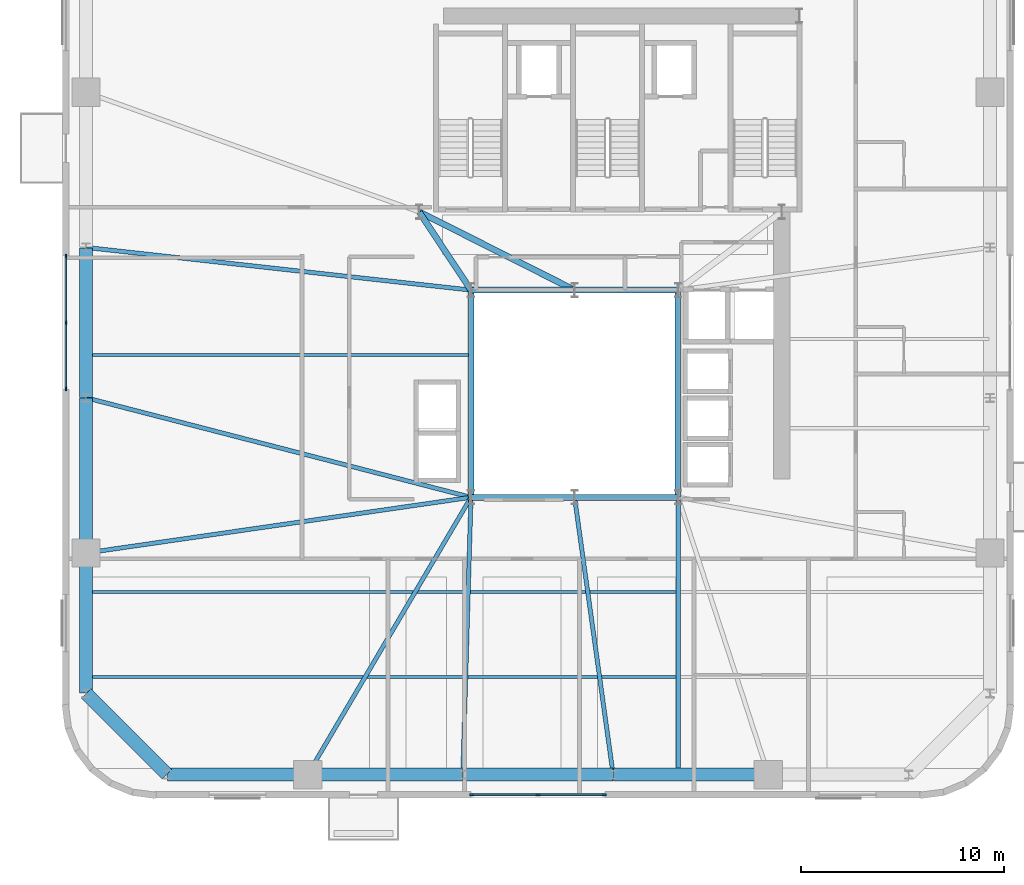
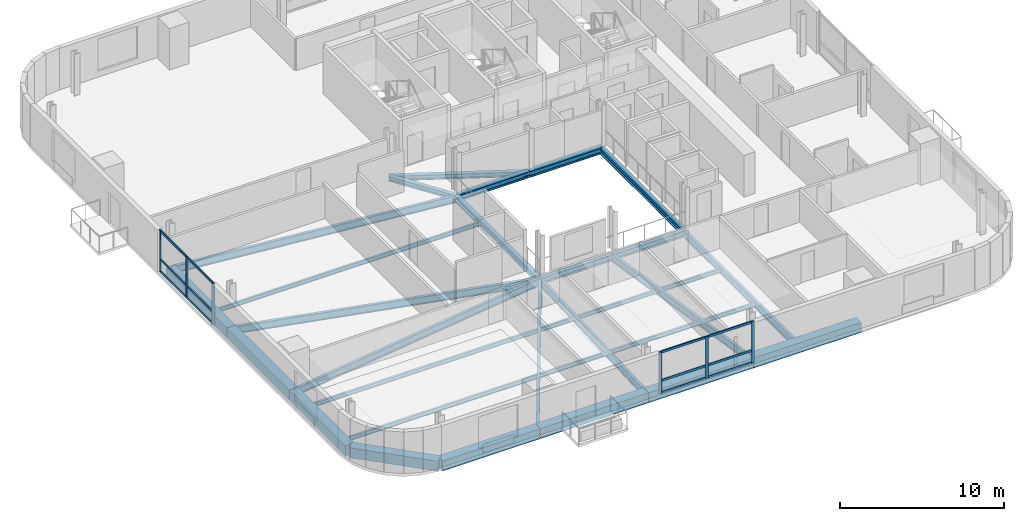
# One storey, part 3 of 13: 26 beams, 18 members, 2 elements without a shape of their own.
"""IFC4 building model written with IfcOpenShell, lengths in metres."""

import ifcopenshell
import ifcopenshell.guid

model = None  # the IFC model being written
_history = None  # IfcOwnerHistory: only IFC2X3 demands one
_inside = {}  # id of a spatial element -> (the spatial element, [elements in it])
_under = {}  # id of a project, library or spatial element -> (it, [spatial elements below it])
_declared = {}  # id of a project -> (the project, [libraries it declares])
_typed = {}  # id of a type object -> (the type object, [elements of that type])
_made_of = {}  # id of a material, layer set ... -> (it, [elements and type objects made of it])


def new_model(schema):
    """Start an empty IFC model of exactly this schema.

    Asked for "IFC4X3", IfcOpenShell would pick the latest addendum, in which some entities
    have other attributes; the version numbers below select the first issue.
    IFC2X3 requires an IfcOwnerHistory on every rooted entity: one is made here for all.
    """
    global model, _history
    if schema == "IFC4X3":
        model = ifcopenshell.file(schema_version=(4, 3, 0, 0))
    else:
        model = ifcopenshell.file(schema=schema)
    _inside.clear()
    _under.clear()
    _declared.clear()
    _typed.clear()
    _made_of.clear()
    _history = None
    if model.schema == "IFC2X3":
        org = make("IfcOrganization", Name="unknown")
        user = make(
            "IfcPersonAndOrganization",
            ThePerson=make("IfcPerson", FamilyName="unknown"),
            TheOrganization=org,
        )
        app = make(
            "IfcApplication",
            ApplicationDeveloper=org,
            Version="unknown",
            ApplicationFullName="unknown",
            ApplicationIdentifier="unknown",
        )
        _history = make(
            "IfcOwnerHistory",
            OwningUser=user,
            OwningApplication=app,
            ChangeAction="ADDED",
            CreationDate=0,
        )
    return model


def make(cls, **values):
    """One entity of the class cls with the attributes given. An attribute that is None is left unset."""
    return model.create_entity(
        cls, **{name: value for name, value in values.items() if value is not None}
    )


def rooted(cls, **values):
    """An entity with a GlobalId (a new one), such as an element, a storey or a relation."""
    return make(cls, GlobalId=ifcopenshell.guid.new(), OwnerHistory=_history, **values)


def si_unit(unit_type, name, prefix=None):
    """IfcSIUnit, for example si_unit("LENGTHUNIT", "METRE", prefix="MILLI")."""
    return make("IfcSIUnit", UnitType=unit_type, Prefix=prefix, Name=name)


def assignment(units):
    """IfcUnitAssignment: the units of a project."""
    return None if units is None else make("IfcUnitAssignment", Units=units)


def point(xyz):
    """IfcCartesianPoint."""
    return None if xyz is None else make("IfcCartesianPoint", Coordinates=xyz)


def direction(xyz):
    """IfcDirection."""
    return None if xyz is None else make("IfcDirection", DirectionRatios=xyz)


def frame(location, z_axis=None, x_axis=None):
    """IfcAxis2Placement3D, a coordinate frame: its origin and axes. An axis left out is left unset."""
    return make(
        "IfcAxis2Placement3D",
        Location=point(location),
        Axis=direction(z_axis),
        RefDirection=direction(x_axis),
    )


def frame_2d(location, x_axis=None):
    """IfcAxis2Placement2D, a coordinate frame in the plane: its origin and x axis."""
    return make(
        "IfcAxis2Placement2D", Location=point(location), RefDirection=direction(x_axis)
    )


def origin():
    """The frame at (0, 0, 0) with its axes left unset."""
    return frame((0.0, 0.0, 0.0))


def origin_2d():
    """The frame at (0, 0) in the plane with its x axis left unset."""
    return frame_2d((0.0, 0.0))


def place(relative_to, where):
    """IfcLocalPlacement: puts the frame where relative to a parent placement (None: the world)."""
    return make(
        "IfcLocalPlacement", PlacementRelTo=relative_to, RelativePlacement=where
    )


def context(
    kind, dimensions, precision=None, world=None, true_north=None, identifier=None
):
    """IfcGeometricRepresentationContext, for example the 3D "Model" context."""
    return make(
        "IfcGeometricRepresentationContext",
        ContextIdentifier=identifier,
        ContextType=kind,
        CoordinateSpaceDimension=dimensions,
        Precision=precision,
        WorldCoordinateSystem=world,
        TrueNorth=true_north,
    )


def subcontext(parent, identifier, kind, view, scale=None):
    """IfcGeometricRepresentationSubContext, for example "Body" below "Model"."""
    return make(
        "IfcGeometricRepresentationSubContext",
        ContextIdentifier=identifier,
        ContextType=kind,
        ParentContext=parent,
        TargetScale=scale,
        TargetView=view,
    )


def project(units=None, contexts=None):
    """IfcProject with its units and contexts."""
    return rooted(
        "IfcProject",
        Name="project",
        RepresentationContexts=contexts,
        UnitsInContext=assignment(units),
    )


def spatial(cls, under=None, at=None, **own):
    """A site, building, storey or space (cls), placed at a placement, below another one or the project."""
    s = rooted(cls, ObjectPlacement=at, **own)
    if under is not None:
        _under.setdefault(under.id(), (under, []))[1].append(s)
    return s


def profile(cls, at=None, kind="AREA", **sizes):
    """A parametric profile (cls). Its sizes go by their IFC names, for example OverallWidth=200.0."""
    return make(cls, ProfileType=kind, Position=at, **sizes)


def rectangle(**sizes):
    """IfcRectangleProfileDef."""
    return profile("IfcRectangleProfileDef", **sizes)


def i_section(**sizes):
    """IfcIShapeProfileDef."""
    return profile("IfcIShapeProfileDef", **sizes)


def extrude(swept, where, along, depth):
    """IfcExtrudedAreaSolid: the profile swept, set in the frame where, extruded along a direction by depth."""
    return make(
        "IfcExtrudedAreaSolid",
        SweptArea=swept,
        Position=where,
        ExtrudedDirection=direction(along),
        Depth=depth,
    )


def shape(context_of_items, identifier, shape_type, items):
    """IfcShapeRepresentation: the items that make up one representation, for example the "Body"."""
    return make(
        "IfcShapeRepresentation",
        ContextOfItems=context_of_items,
        RepresentationIdentifier=identifier,
        RepresentationType=shape_type,
        Items=items,
    )


def source(mapping_origin, context_of_items, identifier, shape_type, items):
    """IfcRepresentationMap: a shape defined once, which mapped items show again and again."""
    return make(
        "IfcRepresentationMap",
        MappingOrigin=mapping_origin,
        MappedRepresentation=shape(context_of_items, identifier, shape_type, items),
    )


def transform(
    local_origin,
    x_axis=None,
    y_axis=None,
    z_axis=None,
    scale=None,
    scale2=None,
    scale3=None,
    uniform=True,
):
    """IfcCartesianTransformationOperator3D, or its non-uniform kind. x_axis, y_axis, z_axis: its Axis1, 2, 3."""
    if uniform:
        return make(
            "IfcCartesianTransformationOperator3D",
            Axis1=direction(x_axis),
            Axis2=direction(y_axis),
            LocalOrigin=point(local_origin),
            Scale=scale,
            Axis3=direction(z_axis),
        )
    return make(
        "IfcCartesianTransformationOperator3DnonUniform",
        Axis1=direction(x_axis),
        Axis2=direction(y_axis),
        LocalOrigin=point(local_origin),
        Scale=scale,
        Axis3=direction(z_axis),
        Scale2=scale2,
        Scale3=scale3,
    )


def mapped(mapping_source, mapping_target):
    """IfcMappedItem: shows the shape of a source again, moved by a transform."""
    return make(
        "IfcMappedItem", MappingSource=mapping_source, MappingTarget=mapping_target
    )


def material(Name=None, Category=None):
    """IfcMaterial."""
    return make("IfcMaterial", Name=Name, Category=Category)


def material_profile(
    of_material, cross_section, Name=None, Category=None, Priority=None
):
    """IfcMaterialProfile: a cross section and its material."""
    return make(
        "IfcMaterialProfile",
        Name=Name,
        Material=of_material,
        Profile=cross_section,
        Priority=Priority,
        Category=Category,
    )


def profile_set(profiles, Name=None, composite=None):
    """IfcMaterialProfileSet."""
    return make(
        "IfcMaterialProfileSet",
        Name=Name,
        MaterialProfiles=profiles,
        CompositeProfile=composite,
    )


def made_of(thing, what):
    """Note that an element or type object is made of a material, layer set ...; save() writes the relation."""
    if what is not None:
        _made_of.setdefault(what.id(), (what, []))[1].append(thing)
    return thing


def type_object(cls, material=None, **own):
    """A type object (cls), such as IfcWallType, which elements share."""
    return made_of(rooted(cls, **own), material)


def element(
    cls,
    number,
    at=None,
    inside=None,
    cuts=None,
    type_object=None,
    material=None,
    context=None,
    identifier="Body",
    shape_type=None,
    held_by="IfcProductDefinitionShape",
    body=None,
    shapes=None,
    **own,
):
    """One element of the class cls, such as IfcWall. Its Tag is "e" and its number.

    at: its placement. inside: the storey or other place that contains it. cuts: it is an
    opening in that element (IfcRelVoidsElement). A single representation is given by context,
    identifier, shape_type and body (its items); several are given by shapes. held_by: the class
    of the entity that holds the representations. save() writes the other relations.
    """
    e = rooted(cls, Tag="e%d" % number, ObjectPlacement=at, **own)
    if body is not None:
        shapes = [shape(context, identifier, shape_type, body)]
    if shapes is not None:
        e.Representation = make(held_by, Representations=shapes)
    if inside is not None:
        _inside.setdefault(inside.id(), (inside, []))[1].append(e)
    if cuts is not None:
        rooted(
            "IfcRelVoidsElement", RelatingBuildingElement=cuts, RelatedOpeningElement=e
        )
    if type_object is not None:
        _typed.setdefault(type_object.id(), (type_object, []))[1].append(e)
    return made_of(e, material)


def aggregate(whole, parts):
    """IfcRelAggregates: a whole, such as a stair, and the parts it consists of."""
    return rooted("IfcRelAggregates", RelatingObject=whole, RelatedObjects=parts)


def save(model, path):
    """Write the relations noted so far, then the file.

    IfcRelAggregates (storeys below a building ...), IfcRelContainedInSpatialStructure (elements
    in a storey), IfcRelDefinesByType, IfcRelAssociatesMaterial and IfcRelDeclares: one each for
    every whole, place, type object, material and project.
    """
    for whole, parts in _under.values():
        aggregate(whole, parts)
    for where, things in _inside.values():
        rooted(
            "IfcRelContainedInSpatialStructure",
            RelatedElements=things,
            RelatingStructure=where,
        )
    for kind, things in _typed.values():
        rooted("IfcRelDefinesByType", RelatedObjects=things, RelatingType=kind)
    for what, things in _made_of.values():
        rooted("IfcRelAssociatesMaterial", RelatedObjects=things, RelatingMaterial=what)
    for by, libraries in _declared.values():
        rooted("IfcRelDeclares", RelatingContext=by, RelatedDefinitions=libraries)
    model.write(path)


model = new_model("IFC4")

# Units and contexts
model_context = context("Model", 3, precision=1e-05, world=origin(), true_north=direction((0.0, 1.0)))
body_context = subcontext(model_context, "Body", "Model", "MODEL_VIEW")
ifc_project = project(units=[si_unit("LENGTHUNIT", "METRE"), si_unit("AREAUNIT", "SQUARE_METRE"), si_unit("VOLUMEUNIT", "CUBIC_METRE"), si_unit("PLANEANGLEUNIT", "RADIAN"), si_unit("MASSUNIT", "GRAM", prefix="KILO")], contexts=[model_context])

# Site, building, storey
site_placement = place(None, origin())
site = spatial("IfcSite", under=ifc_project, at=site_placement, CompositionType="ELEMENT")
building_placement = place(site_placement, origin())
building = spatial("IfcBuilding", under=site, at=building_placement, Name="Vardaveli Station Tower", CompositionType="ELEMENT")
storey_placement = place(building_placement, frame((0.0, 0.0, 233.550048828125)))
storey = spatial("IfcBuildingStorey", under=building, at=storey_placement, Name="L60", CompositionType="ELEMENT", Elevation=233.550048828125)

# Beams
ifc_material_1 = material(Name="Structural steel S355J2", Category="steel")
ifc_material_profile_1 = material_profile(ifc_material_1, i_section(OverallWidth=0.300048828125, OverallDepth=0.449951171875, WebThickness=0.013916015625, FlangeThickness=0.02587890625, FilletRadius=0.027099609375, at=origin_2d()), Name="HEB 450")
ifc_profile_set_1 = profile_set([ifc_material_profile_1], Name="Structural steel S355J2")
beam_type_1 = type_object("IfcBeamType", Name="BM-HEB450", PredefinedType="BEAM", material=ifc_profile_set_1)
shared_shape_1 = source(origin(), body_context, "Body", "SweptSolid", [
    extrude(i_section(OverallWidth=0.300048828125, OverallDepth=0.449951171875, WebThickness=0.013916015625, FlangeThickness=0.02587890625, FilletRadius=0.027099609375, at=origin_2d()), origin(), (0.0, 0.0, 1.0), 5.06005859375),
])
for number, where, z_axis, x_axis, name in (
    (1, (31.219970703125, 16.60009765625, -0.445068359375), (1.0, 0.0, 0.0), (0.0, 1.0, 0.0), "ABM-L60-01"),
    (2, (36.280029296875, 26.800048828125, -0.445068359375), (-1.0, 0.0, 0.0), (0.0, -1.0, 0.0), "ABM-L60-05"),
):
    element("IfcBeam", number, at=place(storey_placement, frame(where, z_axis=z_axis, x_axis=x_axis)), inside=storey, type_object=beam_type_1, Name=name, PredefinedType="BEAM", context=body_context, shape_type="MappedRepresentation", body=[
        mapped(shared_shape_1, transform((0.0, 0.0, 0.0), scale=1.0)),
    ])
shared_shape_2 = source(origin(), body_context, "Body", "SweptSolid", [
    extrude(i_section(OverallWidth=0.300048828125, OverallDepth=0.449951171875, WebThickness=0.013916015625, FlangeThickness=0.02587890625, FilletRadius=0.027099609375, at=origin_2d()), origin(), (0.0, 0.0, 1.0), 5.059814453125),
])
for number, where, z_axis, x_axis, name in (
    (3, (36.320068359375, 16.60009765625, -0.445068359375), (1.0, 0.0, 0.0), (0.0, 1.0, 0.0), "ABM-L60-02"),
    (4, (41.3798828125, 26.800048828125, -0.445068359375), (-1.0, 0.0, 0.0), (0.0, -1.0, 0.0), "ABM-L60-04"),
):
    element("IfcBeam", number, at=place(storey_placement, frame(where, z_axis=z_axis, x_axis=x_axis)), inside=storey, type_object=beam_type_1, Name=name, PredefinedType="BEAM", context=body_context, shape_type="MappedRepresentation", body=[
        mapped(shared_shape_2, transform((0.0, 0.0, 0.0), scale=1.0)),
    ])
shared_shape_3 = source(origin(), body_context, "Body", "SweptSolid", [
    extrude(i_section(OverallWidth=0.300048828125, OverallDepth=0.449951171875, WebThickness=0.013916015625, FlangeThickness=0.02587890625, FilletRadius=0.027099609375, at=origin_2d()), origin(), (0.0, 0.0, 1.0), 10.159912109375),
])
for number, where, z_axis, x_axis, name in (
    (5, (41.39990234375, 16.6201171875, -0.445068359375), (0.0, 1.0, 0.0), (-1.0, 0.0, 0.0), "ABM-L60-03"),
    (6, (31.199951171875, 26.780029296875, -0.445068359375), (0.0, -1.0, 0.0), (1.0, 0.0, 0.0), "ABM-L60-06"),
):
    element("IfcBeam", number, at=place(storey_placement, frame(where, z_axis=z_axis, x_axis=x_axis)), inside=storey, type_object=beam_type_1, Name=name, PredefinedType="BEAM", context=body_context, shape_type="MappedRepresentation", body=[
        mapped(shared_shape_3, transform((0.0, 0.0, 0.0), scale=1.0)),
    ])
ifc_material_profile_2 = material_profile(ifc_material_1, i_section(OverallWidth=0.300048828125, OverallDepth=0.360107421875, WebThickness=0.012451171875, FlangeThickness=0.0224609375, FilletRadius=0.027099609375, at=origin_2d()), Name="HEB 360")
ifc_profile_set_2 = profile_set([ifc_material_profile_2], Name="Structural steel S355J2")
beam_type_2 = type_object("IfcBeamType", Name="BM-HEB360", PredefinedType="BEAM", material=ifc_profile_set_2)
shared_shape_4 = source(origin(), body_context, "Body", "SweptSolid", [
    extrude(i_section(OverallWidth=0.300048828125, OverallDepth=0.360107421875, WebThickness=0.012451171875, FlangeThickness=0.0224609375, FilletRadius=0.027099609375, at=origin_2d()), origin(), (0.0, 0.0, 1.0), 4.577880859375),
])
beam_1_placement = place(storey_placement, frame((31.18896484375, 26.816650390625, -0.400146484375), z_axis=(-0.55218702139, 0.833720272879, 0.0), x_axis=(-0.833720272879, -0.55218702139, 0.0)))
element("IfcBeam", 7, at=beam_1_placement, inside=storey, type_object=beam_type_2, Name="CBM-L60-01", PredefinedType="BEAM", context=body_context, shape_type="MappedRepresentation", body=[
    mapped(shared_shape_4, transform((0.0, 0.0, 0.0), scale=1.0)),
])
shared_shape_5 = source(origin(), body_context, "Body", "SweptSolid", [
    extrude(i_section(OverallWidth=0.300048828125, OverallDepth=0.360107421875, WebThickness=0.012451171875, FlangeThickness=0.0224609375, FilletRadius=0.027099609375, at=origin_2d()), origin(), (0.0, 0.0, 1.0), 8.524169921875),
])
beam_2_placement = place(storey_placement, frame((28.66796875, 30.64111328125, -0.400146484375), z_axis=(0.893255584708, -0.449549174605, 0.0), x_axis=(0.449549174605, 0.893255584708, 0.0)))
element("IfcBeam", 8, at=beam_2_placement, inside=storey, type_object=beam_type_2, Name="CBM-L60-03", PredefinedType="BEAM", context=body_context, shape_type="MappedRepresentation", body=[
    mapped(shared_shape_5, transform((0.0, 0.0, 0.0), scale=1.0)),
])
ifc_material_2 = material(Name="Precast concrete C45/55", Category="concrete")
ifc_material_profile_3 = material_profile(ifc_material_2, rectangle(XDim=0.64990234375, YDim=0.75, at=origin_2d()), Name="LPB 650x750")
ifc_profile_set_3 = profile_set([ifc_material_profile_3], Name="Precast concrete C45/55")
beam_type_3 = type_object("IfcBeamType", Name="BM-LPB-750", PredefinedType="BEAM", material=ifc_profile_set_3)
shared_shape_6 = source(origin(), body_context, "Body", "SweptSolid", [
    extrude(rectangle(XDim=0.64990234375, YDim=0.75, at=origin_2d()), origin(), (0.0, 0.0, 1.0), 7.60009765625),
])
for number, where, z_axis, x_axis, name in (
    (9, (23.179931640625, 2.949951171875, -0.594970703125), (1.0, 0.0, 0.0), (0.0, 1.0, 0.0), "RBM-L60-01"),
    (10, (38.219970703125, 2.949951171875, -0.594970703125), (1.0, 0.0, 0.0), (0.0, 1.0, 0.0), "RBM-L60-03"),
    (11, (12.25, 21.47998046875, -0.594970703125), (0.0, -1.0, 0.0), (1.0, 0.0, 0.0), "RBM-L60-21"),
):
    element("IfcBeam", number, at=place(storey_placement, frame(where, z_axis=z_axis, x_axis=x_axis)), inside=storey, type_object=beam_type_3, Name=name, PredefinedType="BEAM", context=body_context, shape_type="MappedRepresentation", body=[
        mapped(shared_shape_6, transform((0.0, 0.0, 0.0), scale=1.0)),
    ])
shared_shape_7 = source(origin(), body_context, "Body", "SweptSolid", [
    extrude(rectangle(XDim=0.64990234375, YDim=0.75, at=origin_2d()), origin(), (0.0, 0.0, 1.0), 7.35986328125),
])
for number, where, z_axis, x_axis, name in (
    (12, (30.820068359375, 2.949951171875, -0.594970703125), (1.0, 0.0, 0.0), (0.0, 1.0, 0.0), "RBM-L60-02"),
    (13, (12.25, 28.8798828125, -0.594970703125), (0.0, -1.0, 0.0), (1.0, 0.0, 0.0), "RBM-L60-20"),
):
    element("IfcBeam", number, at=place(storey_placement, frame(where, z_axis=z_axis, x_axis=x_axis)), inside=storey, type_object=beam_type_3, Name=name, PredefinedType="BEAM", context=body_context, shape_type="MappedRepresentation", body=[
        mapped(shared_shape_7, transform((0.0, 0.0, 0.0), scale=1.0)),
    ])
shared_shape_8 = source(origin(), body_context, "Body", "SweptSolid", [
    extrude(rectangle(XDim=0.64990234375, YDim=0.75, at=origin_2d()), origin(), (0.0, 0.0, 1.0), 6.869873046875),
])
beam_3_placement = place(storey_placement, frame((16.27001953125, 2.949951171875, -0.594970703125), z_axis=(1.0, 0.0, 0.0), x_axis=(0.0, 1.0, 0.0)))
element("IfcBeam", 14, at=beam_3_placement, inside=storey, type_object=beam_type_3, Name="RBM-L60-24", PredefinedType="BEAM", context=body_context, shape_type="MappedRepresentation", body=[
    mapped(shared_shape_8, transform((0.0, 0.0, 0.0), scale=1.0)),
])
shared_shape_9 = source(origin(), body_context, "Body", "SweptSolid", [
    extrude(rectangle(XDim=0.64990234375, YDim=0.75, at=origin_2d()), origin(), (0.0, 0.0, 1.0), 5.61669921875),
])
beam_4_placement = place(storey_placement, frame((12.26416015625, 6.935791015625, -0.594970703125), z_axis=(0.707106781187, -0.707106781187, 0.0), x_axis=(0.707106781187, 0.707106781187, 0.0)))
element("IfcBeam", 15, at=beam_4_placement, inside=storey, type_object=beam_type_3, Name="RBM-L60-23", PredefinedType="BEAM", context=body_context, shape_type="MappedRepresentation", body=[
    mapped(shared_shape_9, transform((0.0, 0.0, 0.0), scale=1.0)),
])
shared_shape_10 = source(origin(), body_context, "Body", "SweptSolid", [
    extrude(rectangle(XDim=0.64990234375, YDim=0.75, at=origin_2d()), origin(), (0.0, 0.0, 1.0), 6.8701171875),
])
beam_5_placement = place(storey_placement, frame((12.25, 13.840087890625, -0.594970703125), z_axis=(0.0, -1.0, 0.0), x_axis=(1.0, 0.0, 0.0)))
element("IfcBeam", 16, at=beam_5_placement, inside=storey, type_object=beam_type_3, Name="RBM-L60-22", PredefinedType="BEAM", context=body_context, shape_type="MappedRepresentation", body=[
    mapped(shared_shape_10, transform((0.0, 0.0, 0.0), scale=1.0)),
])
ifc_material_profile_4 = material_profile(ifc_material_1, i_section(OverallWidth=0.2099609375, OverallDepth=0.550048828125, WebThickness=0.010986328125, FlangeThickness=0.01708984375, FilletRadius=0.02392578125, at=origin_2d()), Name="IPE 550")
ifc_profile_set_4 = profile_set([ifc_material_profile_4], Name="Structural steel S355J2")
beam_type_4 = type_object("IfcBeamType", Name="BM-IPE550", PredefinedType="BEAM", material=ifc_profile_set_4)
shared_shape_11 = source(origin(), body_context, "Body", "SweptSolid", [
    extrude(i_section(OverallWidth=0.2099609375, OverallDepth=0.550048828125, WebThickness=0.010986328125, FlangeThickness=0.01708984375, FilletRadius=0.02392578125, at=origin_2d()), origin(), (0.0, 0.0, 1.0), 13.469970703125),
])
beam_6_placement = place(storey_placement, frame((41.39990234375, 2.989990234375, -0.4951171875), z_axis=(0.0, 1.0, 0.0), x_axis=(-1.0, 0.0, 0.0)))
element("IfcBeam", 17, at=beam_6_placement, inside=storey, type_object=beam_type_4, Name="NSM-L60-S2", PredefinedType="BEAM", context=body_context, shape_type="MappedRepresentation", body=[
    mapped(shared_shape_11, transform((0.0, 0.0, 0.0), scale=1.0)),
])
shared_shape_12 = source(origin(), body_context, "Body", "SweptSolid", [
    extrude(i_section(OverallWidth=0.2099609375, OverallDepth=0.550048828125, WebThickness=0.010986328125, FlangeThickness=0.01708984375, FilletRadius=0.02392578125, at=origin_2d()), origin(), (0.0, 0.0, 1.0), 15.8017578125),
])
beam_7_placement = place(storey_placement, frame((23.170166015625, 2.96728515625, -0.4951171875), z_axis=(0.507521713546, 0.86163896748, 0.0), x_axis=(-0.86163896748, 0.507521713546, 0.0)))
element("IfcBeam", 18, at=beam_7_placement, inside=storey, type_object=beam_type_4, Name="GBM-L60-01", PredefinedType="BEAM", context=body_context, shape_type="MappedRepresentation", body=[
    mapped(shared_shape_12, transform((0.0, 0.0, 0.0), scale=1.0)),
])
shared_shape_13 = source(origin(), body_context, "Body", "SweptSolid", [
    extrude(i_section(OverallWidth=0.2099609375, OverallDepth=0.550048828125, WebThickness=0.010986328125, FlangeThickness=0.01708984375, FilletRadius=0.02392578125, at=origin_2d()), origin(), (0.0, 0.0, 1.0), 13.615966796875),
])
beam_8_placement = place(storey_placement, frame((30.800537109375, 2.969970703125, -0.4951171875), z_axis=(0.029298411379, 0.9995707094, 0.0), x_axis=(-0.9995707094, 0.029298411379, 0.0)))
element("IfcBeam", 19, at=beam_8_placement, inside=storey, type_object=beam_type_4, Name="GBM-L60-02", PredefinedType="BEAM", context=body_context, shape_type="MappedRepresentation", body=[
    mapped(shared_shape_13, transform((0.0, 0.0, 0.0), scale=1.0)),
])
shared_shape_14 = source(origin(), body_context, "Body", "SweptSolid", [
    extrude(i_section(OverallWidth=0.2099609375, OverallDepth=0.550048828125, WebThickness=0.010986328125, FlangeThickness=0.01708984375, FilletRadius=0.02392578125, at=origin_2d()), origin(), (0.0, 0.0, 1.0), 13.741455078125),
])
beam_9_placement = place(storey_placement, frame((38.197265625, 2.9697265625, -0.4951171875), z_axis=(-0.137868554024, 0.990450534762, 0.0), x_axis=(-0.990450534762, -0.137868554024, 0.0)))
element("IfcBeam", 20, at=beam_9_placement, inside=storey, type_object=beam_type_4, Name="GBM-L60-03", PredefinedType="BEAM", context=body_context, shape_type="MappedRepresentation", body=[
    mapped(shared_shape_14, transform((0.0, 0.0, 0.0), scale=1.0)),
])
shared_shape_15 = source(origin(), body_context, "Body", "SweptSolid", [
    extrude(i_section(OverallWidth=0.2099609375, OverallDepth=0.550048828125, WebThickness=0.010986328125, FlangeThickness=0.01708984375, FilletRadius=0.02392578125, at=origin_2d()), origin(), (0.0, 0.0, 1.0), 19.026123046875),
])
beam_10_placement = place(storey_placement, frame((12.269775390625, 28.897705078125, -0.4951171875), z_axis=(0.993916552721, -0.110135762707, 0.0), x_axis=(0.110135762707, 0.993916552721, 0.0)))
element("IfcBeam", 21, at=beam_10_placement, inside=storey, type_object=beam_type_4, Name="GBM-L60-08", PredefinedType="BEAM", context=body_context, shape_type="MappedRepresentation", body=[
    mapped(shared_shape_15, transform((0.0, 0.0, 0.0), scale=1.0)),
])
shared_shape_16 = source(origin(), body_context, "Body", "SweptSolid", [
    extrude(i_section(OverallWidth=0.2099609375, OverallDepth=0.550048828125, WebThickness=0.010986328125, FlangeThickness=0.01708984375, FilletRadius=0.02392578125, at=origin_2d()), origin(), (0.0, 0.0, 1.0), 19.533447265625),
])
beam_11_placement = place(storey_placement, frame((12.269287109375, 21.494873046875, -0.4951171875), z_axis=(0.968159081778, -0.250335759272, 0.0), x_axis=(0.250335759272, 0.968159081778, 0.0)))
element("IfcBeam", 22, at=beam_11_placement, inside=storey, type_object=beam_type_4, Name="GBM-L60-09", PredefinedType="BEAM", context=body_context, shape_type="MappedRepresentation", body=[
    mapped(shared_shape_16, transform((0.0, 0.0, 0.0), scale=1.0)),
])
shared_shape_17 = source(origin(), body_context, "Body", "SweptSolid", [
    extrude(i_section(OverallWidth=0.2099609375, OverallDepth=0.550048828125, WebThickness=0.010986328125, FlangeThickness=0.01708984375, FilletRadius=0.02392578125, at=origin_2d()), origin(), (0.0, 0.0, 1.0), 19.107177734375),
])
beam_12_placement = place(storey_placement, frame((12.269775390625, 13.86279296875, -0.4951171875), z_axis=(0.989707072711, 0.143108036903, 0.0), x_axis=(-0.143108036903, 0.989707072711, 0.0)))
element("IfcBeam", 23, at=beam_12_placement, inside=storey, type_object=beam_type_4, Name="GBM-L60-10", PredefinedType="BEAM", context=body_context, shape_type="MappedRepresentation", body=[
    mapped(shared_shape_17, transform((0.0, 0.0, 0.0), scale=1.0)),
])
ifc_material_profile_5 = material_profile(ifc_material_1, i_section(OverallWidth=0.14990234375, OverallDepth=0.300048828125, WebThickness=0.007080078125, FlangeThickness=0.0107421875, FilletRadius=0.014892578125, at=origin_2d()), Name="IPE 300")
ifc_profile_set_5 = profile_set([ifc_material_profile_5], Name="Structural steel S355J2")
beam_type_5 = type_object("IfcBeamType", Name="BM-IPE300", PredefinedType="JOIST", material=ifc_profile_set_5)
shared_shape_18 = source(origin(), body_context, "Body", "SweptSolid", [
    extrude(i_section(OverallWidth=0.14990234375, OverallDepth=0.300048828125, WebThickness=0.007080078125, FlangeThickness=0.0107421875, FilletRadius=0.014892578125, at=origin_2d()), origin(), (0.0, 0.0, 1.0), 28.998046875),
])
for number, where, z_axis, x_axis, name in (
    (24, (12.2900390625, 7.75, -0.3701171875), (1.0, 0.0, 0.0), (0.0, 1.0, 0.0), "SJ-L60-S01"),
    (25, (12.2900390625, 11.949951171875, -0.3701171875), (1.0, 0.0, 0.0), (0.0, 1.0, 0.0), "SJ-L60-S03"),
):
    element("IfcBeam", number, at=place(storey_placement, frame(where, z_axis=z_axis, x_axis=x_axis)), inside=storey, type_object=beam_type_5, Name=name, PredefinedType="JOIST", context=body_context, shape_type="MappedRepresentation", body=[
        mapped(shared_shape_18, transform((0.0, 0.0, 0.0), scale=1.0)),
    ])
shared_shape_19 = source(origin(), body_context, "Body", "SweptSolid", [
    extrude(i_section(OverallWidth=0.14990234375, OverallDepth=0.300048828125, WebThickness=0.007080078125, FlangeThickness=0.0107421875, FilletRadius=0.014892578125, at=origin_2d()), origin(), (0.0, 0.0, 1.0), 18.7978515625),
])
beam_13_placement = place(storey_placement, frame((12.2900390625, 23.60009765625, -0.3701171875), z_axis=(1.0, 0.0, 0.0), x_axis=(0.0, 1.0, 0.0)))
element("IfcBeam", 26, at=beam_13_placement, inside=storey, type_object=beam_type_5, Name="SJ-L60-W06", PredefinedType="JOIST", context=body_context, shape_type="MappedRepresentation", body=[
    mapped(shared_shape_19, transform((0.0, 0.0, 0.0), scale=1.0)),
])

# Curtain wall, members
ifc_material_3 = material(Name="Travertine stone and solar-control glass", Category="masonry")
curtain_wall_type = type_object("IfcCurtainWallType", Name="CW-SYS-5", PredefinedType="NOTDEFINED", material=ifc_material_3)
curtain_wall_1_placement = place(storey_placement, origin())
curtain_wall_1 = element("IfcCurtainWall", 27, at=curtain_wall_1_placement, inside=storey, type_object=curtain_wall_type, Name="CW-L60-S", PredefinedType="NOTDEFINED")
ifc_material_4 = material(Name="Anodised aluminium alloy 6063-T6", Category="aluminium")
ifc_material_profile_6 = material_profile(ifc_material_4, rectangle(XDim=0.080078125, YDim=0.1650390625, at=origin_2d()), Name="CWT 80x165")
ifc_profile_set_6 = profile_set([ifc_material_profile_6], Name="Anodised aluminium alloy 6063-T6")
member_type_1 = type_object("IfcMemberType", Name="CW-SYS-5-TRAN", PredefinedType="NOTDEFINED", material=ifc_profile_set_6)
shared_shape_20 = source(origin(), body_context, "Body", "SweptSolid", [
    extrude(rectangle(XDim=0.080078125, YDim=0.1650390625, at=origin_2d()), origin(), (0.0, 0.0, 1.0), 3.179931640625),
])
member_1_placement = place(storey_placement, frame((31.280029296875, 1.9599609375, 0.0400390625), z_axis=(1.0, 0.0, 0.0), x_axis=(0.0, 1.0, 0.0)))
member_1 = element("IfcMember", 28, at=member_1_placement, type_object=member_type_1, Name="CW-5 transom 1.1", ObjectType="TRANSOM", PredefinedType="USERDEFINED", context=body_context, shape_type="MappedRepresentation", body=[
    mapped(shared_shape_20, transform((0.0, 0.0, 0.0), scale=1.0)),
])
member_2_placement = place(storey_placement, frame((31.280029296875, 1.9599609375, 0.949951171875), z_axis=(1.0, 0.0, 0.0), x_axis=(0.0, 1.0, 0.0)))
member_2 = element("IfcMember", 29, at=member_2_placement, type_object=member_type_1, Name="CW-5 transom 1.2", ObjectType="TRANSOM", PredefinedType="USERDEFINED", context=body_context, shape_type="MappedRepresentation", body=[
    mapped(shared_shape_20, transform((0.0, 0.0, 0.0), scale=1.0)),
])
member_3_placement = place(storey_placement, frame((31.280029296875, 1.9599609375, 3.06005859375), z_axis=(1.0, 0.0, 0.0), x_axis=(0.0, 1.0, 0.0)))
member_3 = element("IfcMember", 30, at=member_3_placement, type_object=member_type_1, Name="CW-5 transom 1.3", ObjectType="TRANSOM", PredefinedType="USERDEFINED", context=body_context, shape_type="MappedRepresentation", body=[
    mapped(shared_shape_20, transform((0.0, 0.0, 0.0), scale=1.0)),
])
member_4_placement = place(storey_placement, frame((34.5400390625, 1.9599609375, 0.0400390625), z_axis=(1.0, 0.0, 0.0), x_axis=(0.0, 1.0, 0.0)))
member_4 = element("IfcMember", 31, at=member_4_placement, type_object=member_type_1, Name="CW-5 transom 2.1", ObjectType="TRANSOM", PredefinedType="USERDEFINED", context=body_context, shape_type="MappedRepresentation", body=[
    mapped(shared_shape_20, transform((0.0, 0.0, 0.0), scale=1.0)),
])
member_5_placement = place(storey_placement, frame((34.5400390625, 1.9599609375, 0.949951171875), z_axis=(1.0, 0.0, 0.0), x_axis=(0.0, 1.0, 0.0)))
member_5 = element("IfcMember", 32, at=member_5_placement, type_object=member_type_1, Name="CW-5 transom 2.2", ObjectType="TRANSOM", PredefinedType="USERDEFINED", context=body_context, shape_type="MappedRepresentation", body=[
    mapped(shared_shape_20, transform((0.0, 0.0, 0.0), scale=1.0)),
])
member_6_placement = place(storey_placement, frame((34.5400390625, 1.9599609375, 3.06005859375), z_axis=(1.0, 0.0, 0.0), x_axis=(0.0, 1.0, 0.0)))
member_6 = element("IfcMember", 33, at=member_6_placement, type_object=member_type_1, Name="CW-5 transom 2.3", ObjectType="TRANSOM", PredefinedType="USERDEFINED", context=body_context, shape_type="MappedRepresentation", body=[
    mapped(shared_shape_20, transform((0.0, 0.0, 0.0), scale=1.0)),
])

curtain_wall_2_placement = place(storey_placement, origin())
curtain_wall_2 = element("IfcCurtainWall", 34, at=curtain_wall_2_placement, inside=storey, type_object=curtain_wall_type, Name="CW-L60-W", PredefinedType="NOTDEFINED")
member_7_placement = place(storey_placement, frame((11.260009765625, 28.419921875, 0.0400390625), z_axis=(0.0, -1.0, 0.0), x_axis=(1.0, 0.0, 0.0)))
member_7 = element("IfcMember", 35, at=member_7_placement, type_object=member_type_1, Name="CW-5 transom 1.1", ObjectType="TRANSOM", PredefinedType="USERDEFINED", context=body_context, shape_type="MappedRepresentation", body=[
    mapped(shared_shape_20, transform((0.0, 0.0, 0.0), scale=1.0)),
])
member_8_placement = place(storey_placement, frame((11.260009765625, 28.419921875, 0.949951171875), z_axis=(0.0, -1.0, 0.0), x_axis=(1.0, 0.0, 0.0)))
member_8 = element("IfcMember", 36, at=member_8_placement, type_object=member_type_1, Name="CW-5 transom 1.2", ObjectType="TRANSOM", PredefinedType="USERDEFINED", context=body_context, shape_type="MappedRepresentation", body=[
    mapped(shared_shape_20, transform((0.0, 0.0, 0.0), scale=1.0)),
])
member_9_placement = place(storey_placement, frame((11.260009765625, 28.419921875, 3.06005859375), z_axis=(0.0, -1.0, 0.0), x_axis=(1.0, 0.0, 0.0)))
member_9 = element("IfcMember", 37, at=member_9_placement, type_object=member_type_1, Name="CW-5 transom 1.3", ObjectType="TRANSOM", PredefinedType="USERDEFINED", context=body_context, shape_type="MappedRepresentation", body=[
    mapped(shared_shape_20, transform((0.0, 0.0, 0.0), scale=1.0)),
])
member_10_placement = place(storey_placement, frame((11.260009765625, 25.159912109375, 0.0400390625), z_axis=(0.0, -1.0, 0.0), x_axis=(1.0, 0.0, 0.0)))
member_10 = element("IfcMember", 38, at=member_10_placement, type_object=member_type_1, Name="CW-5 transom 2.1", ObjectType="TRANSOM", PredefinedType="USERDEFINED", context=body_context, shape_type="MappedRepresentation", body=[
    mapped(shared_shape_20, transform((0.0, 0.0, 0.0), scale=1.0)),
])
member_11_placement = place(storey_placement, frame((11.260009765625, 25.159912109375, 0.949951171875), z_axis=(0.0, -1.0, 0.0), x_axis=(1.0, 0.0, 0.0)))
member_11 = element("IfcMember", 39, at=member_11_placement, type_object=member_type_1, Name="CW-5 transom 2.2", ObjectType="TRANSOM", PredefinedType="USERDEFINED", context=body_context, shape_type="MappedRepresentation", body=[
    mapped(shared_shape_20, transform((0.0, 0.0, 0.0), scale=1.0)),
])
member_12_placement = place(storey_placement, frame((11.260009765625, 25.159912109375, 3.06005859375), z_axis=(0.0, -1.0, 0.0), x_axis=(1.0, 0.0, 0.0)))
member_12 = element("IfcMember", 40, at=member_12_placement, type_object=member_type_1, Name="CW-5 transom 2.3", ObjectType="TRANSOM", PredefinedType="USERDEFINED", context=body_context, shape_type="MappedRepresentation", body=[
    mapped(shared_shape_20, transform((0.0, 0.0, 0.0), scale=1.0)),
])

# Member
ifc_material_profile_7 = material_profile(ifc_material_4, rectangle(XDim=0.080078125, YDim=0.205078125, at=origin_2d()), Name="CWM 80x205")
ifc_profile_set_7 = profile_set([ifc_material_profile_7], Name="Anodised aluminium alloy 6063-T6")
member_type_2 = type_object("IfcMemberType", Name="CW-SYS-5-MULL", PredefinedType="MULLION", material=ifc_profile_set_7)
shared_shape_21 = source(origin(), body_context, "Body", "SweptSolid", [
    extrude(rectangle(XDim=0.080078125, YDim=0.205078125, at=origin_2d()), origin(), (0.0, 0.0, 1.0), 3.099853515625),
])
member_13_placement = place(storey_placement, frame((31.239990234375, 1.9599609375, 0.0), z_axis=(0.0, 0.0, 1.0), x_axis=(0.0, 1.0, 0.0)))
member_13 = element("IfcMember", 41, at=member_13_placement, type_object=member_type_2, Name="CW-5 mullion 1", PredefinedType="MULLION", context=body_context, shape_type="MappedRepresentation", body=[
    mapped(shared_shape_21, transform((0.0, 0.0, 0.0), scale=1.0)),
])

member_14_placement = place(storey_placement, frame((34.5, 1.9599609375, 0.0), z_axis=(0.0, 0.0, 1.0), x_axis=(0.0, 1.0, 0.0)))
member_14 = element("IfcMember", 42, at=member_14_placement, type_object=member_type_2, Name="CW-5 mullion 2", PredefinedType="MULLION", context=body_context, shape_type="MappedRepresentation", body=[
    mapped(shared_shape_21, transform((0.0, 0.0, 0.0), scale=1.0)),
])

member_15_placement = place(storey_placement, frame((37.760009765625, 1.9599609375, 0.0), z_axis=(0.0, 0.0, 1.0), x_axis=(0.0, 1.0, 0.0)))
member_15 = element("IfcMember", 43, at=member_15_placement, type_object=member_type_2, Name="CW-5 mullion 3", PredefinedType="MULLION", context=body_context, shape_type="MappedRepresentation", body=[
    mapped(shared_shape_21, transform((0.0, 0.0, 0.0), scale=1.0)),
])

aggregate(curtain_wall_1, [member_13, member_14, member_15, member_1, member_2, member_3, member_4, member_5, member_6])

member_16_placement = place(storey_placement, frame((11.260009765625, 28.4599609375, 0.0), z_axis=(0.0, 0.0, 1.0), x_axis=(1.0, 0.0, 0.0)))
member_16 = element("IfcMember", 44, at=member_16_placement, type_object=member_type_2, Name="CW-5 mullion 1", PredefinedType="MULLION", context=body_context, shape_type="MappedRepresentation", body=[
    mapped(shared_shape_21, transform((0.0, 0.0, 0.0), scale=1.0)),
])

member_17_placement = place(storey_placement, frame((11.260009765625, 25.199951171875, 0.0), z_axis=(0.0, 0.0, 1.0), x_axis=(1.0, 0.0, 0.0)))
member_17 = element("IfcMember", 45, at=member_17_placement, type_object=member_type_2, Name="CW-5 mullion 2", PredefinedType="MULLION", context=body_context, shape_type="MappedRepresentation", body=[
    mapped(shared_shape_21, transform((0.0, 0.0, 0.0), scale=1.0)),
])

member_18_placement = place(storey_placement, frame((11.260009765625, 21.93994140625, 0.0), z_axis=(0.0, 0.0, 1.0), x_axis=(1.0, 0.0, 0.0)))
member_18 = element("IfcMember", 46, at=member_18_placement, type_object=member_type_2, Name="CW-5 mullion 3", PredefinedType="MULLION", context=body_context, shape_type="MappedRepresentation", body=[
    mapped(shared_shape_21, transform((0.0, 0.0, 0.0), scale=1.0)),
])

aggregate(curtain_wall_2, [member_16, member_17, member_18, member_7, member_8, member_9, member_10, member_11, member_12])

save(model, "model.ifc")
